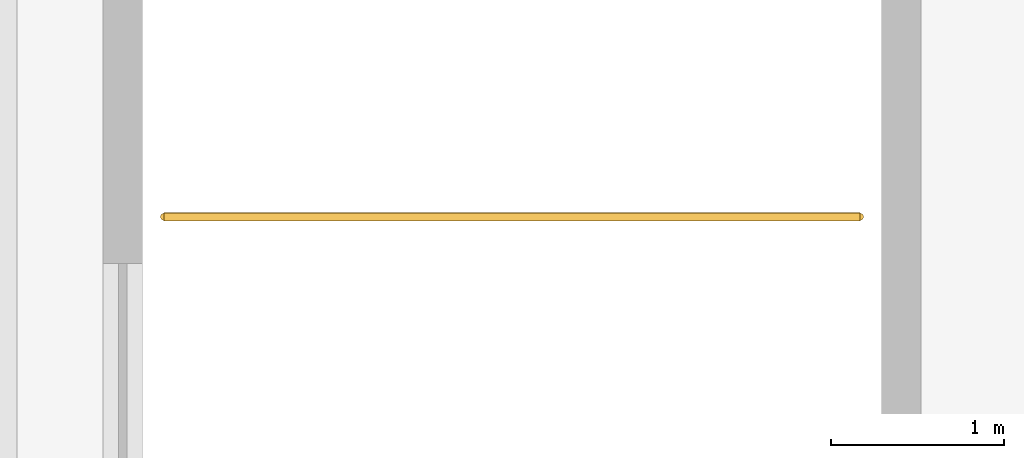
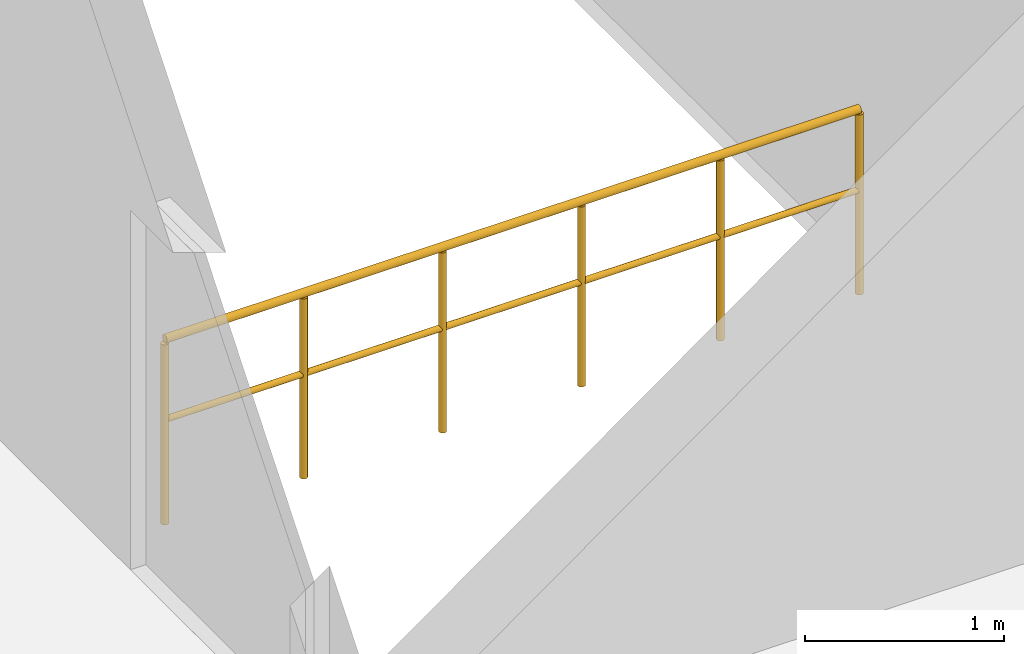
# One storey, part 84 of 84: 1 railing.
"""IFC4 building model written with IfcOpenShell, lengths in metres."""

import ifcopenshell
import ifcopenshell.guid

model = None  # the IFC model being written
_history = None  # IfcOwnerHistory: only IFC2X3 demands one
_inside = {}  # id of a spatial element -> (the spatial element, [elements in it])
_under = {}  # id of a project, library or spatial element -> (it, [spatial elements below it])
_declared = {}  # id of a project -> (the project, [libraries it declares])
_typed = {}  # id of a type object -> (the type object, [elements of that type])
_made_of = {}  # id of a material, layer set ... -> (it, [elements and type objects made of it])


def new_model(schema):
    """Start an empty IFC model of exactly this schema.

    Asked for "IFC4X3", IfcOpenShell would pick the latest addendum, in which some entities
    have other attributes; the version numbers below select the first issue.
    IFC2X3 requires an IfcOwnerHistory on every rooted entity: one is made here for all.
    """
    global model, _history
    if schema == "IFC4X3":
        model = ifcopenshell.file(schema_version=(4, 3, 0, 0))
    else:
        model = ifcopenshell.file(schema=schema)
    _inside.clear()
    _under.clear()
    _declared.clear()
    _typed.clear()
    _made_of.clear()
    _history = None
    if model.schema == "IFC2X3":
        org = make("IfcOrganization", Name="unknown")
        user = make(
            "IfcPersonAndOrganization",
            ThePerson=make("IfcPerson", FamilyName="unknown"),
            TheOrganization=org,
        )
        app = make(
            "IfcApplication",
            ApplicationDeveloper=org,
            Version="unknown",
            ApplicationFullName="unknown",
            ApplicationIdentifier="unknown",
        )
        _history = make(
            "IfcOwnerHistory",
            OwningUser=user,
            OwningApplication=app,
            ChangeAction="ADDED",
            CreationDate=0,
        )
    return model


def make(cls, **values):
    """One entity of the class cls with the attributes given. An attribute that is None is left unset."""
    return model.create_entity(
        cls, **{name: value for name, value in values.items() if value is not None}
    )


def rooted(cls, **values):
    """An entity with a GlobalId (a new one), such as an element, a storey or a relation."""
    return make(cls, GlobalId=ifcopenshell.guid.new(), OwnerHistory=_history, **values)


def si_unit(unit_type, name, prefix=None):
    """IfcSIUnit, for example si_unit("LENGTHUNIT", "METRE", prefix="MILLI")."""
    return make("IfcSIUnit", UnitType=unit_type, Prefix=prefix, Name=name)


def assignment(units):
    """IfcUnitAssignment: the units of a project."""
    return None if units is None else make("IfcUnitAssignment", Units=units)


def point(xyz):
    """IfcCartesianPoint."""
    return None if xyz is None else make("IfcCartesianPoint", Coordinates=xyz)


def direction(xyz):
    """IfcDirection."""
    return None if xyz is None else make("IfcDirection", DirectionRatios=xyz)


def frame(location, z_axis=None, x_axis=None):
    """IfcAxis2Placement3D, a coordinate frame: its origin and axes. An axis left out is left unset."""
    return make(
        "IfcAxis2Placement3D",
        Location=point(location),
        Axis=direction(z_axis),
        RefDirection=direction(x_axis),
    )


def frame_2d(location, x_axis=None):
    """IfcAxis2Placement2D, a coordinate frame in the plane: its origin and x axis."""
    return make(
        "IfcAxis2Placement2D", Location=point(location), RefDirection=direction(x_axis)
    )


def origin():
    """The frame at (0, 0, 0) with its axes left unset."""
    return frame((0.0, 0.0, 0.0))


def origin_2d():
    """The frame at (0, 0) in the plane with its x axis left unset."""
    return frame_2d((0.0, 0.0))


def place(relative_to, where):
    """IfcLocalPlacement: puts the frame where relative to a parent placement (None: the world)."""
    return make(
        "IfcLocalPlacement", PlacementRelTo=relative_to, RelativePlacement=where
    )


def context(
    kind, dimensions, precision=None, world=None, true_north=None, identifier=None
):
    """IfcGeometricRepresentationContext, for example the 3D "Model" context."""
    return make(
        "IfcGeometricRepresentationContext",
        ContextIdentifier=identifier,
        ContextType=kind,
        CoordinateSpaceDimension=dimensions,
        Precision=precision,
        WorldCoordinateSystem=world,
        TrueNorth=true_north,
    )


def subcontext(parent, identifier, kind, view, scale=None):
    """IfcGeometricRepresentationSubContext, for example "Body" below "Model"."""
    return make(
        "IfcGeometricRepresentationSubContext",
        ContextIdentifier=identifier,
        ContextType=kind,
        ParentContext=parent,
        TargetScale=scale,
        TargetView=view,
    )


def project(units=None, contexts=None):
    """IfcProject with its units and contexts."""
    return rooted(
        "IfcProject",
        Name="project",
        RepresentationContexts=contexts,
        UnitsInContext=assignment(units),
    )


def spatial(cls, under=None, at=None, **own):
    """A site, building, storey or space (cls), placed at a placement, below another one or the project."""
    s = rooted(cls, ObjectPlacement=at, **own)
    if under is not None:
        _under.setdefault(under.id(), (under, []))[1].append(s)
    return s


def profile(cls, at=None, kind="AREA", **sizes):
    """A parametric profile (cls). Its sizes go by their IFC names, for example OverallWidth=200.0."""
    return make(cls, ProfileType=kind, Position=at, **sizes)


def circle(**sizes):
    """IfcCircleProfileDef."""
    return profile("IfcCircleProfileDef", **sizes)


def extrude(swept, where, along, depth):
    """IfcExtrudedAreaSolid: the profile swept, set in the frame where, extruded along a direction by depth."""
    return make(
        "IfcExtrudedAreaSolid",
        SweptArea=swept,
        Position=where,
        ExtrudedDirection=direction(along),
        Depth=depth,
    )


def shape(context_of_items, identifier, shape_type, items):
    """IfcShapeRepresentation: the items that make up one representation, for example the "Body"."""
    return make(
        "IfcShapeRepresentation",
        ContextOfItems=context_of_items,
        RepresentationIdentifier=identifier,
        RepresentationType=shape_type,
        Items=items,
    )


def material(Name=None, Category=None):
    """IfcMaterial."""
    return make("IfcMaterial", Name=Name, Category=Category)


def made_of(thing, what):
    """Note that an element or type object is made of a material, layer set ...; save() writes the relation."""
    if what is not None:
        _made_of.setdefault(what.id(), (what, []))[1].append(thing)
    return thing


def type_object(cls, material=None, **own):
    """A type object (cls), such as IfcWallType, which elements share."""
    return made_of(rooted(cls, **own), material)


def element(
    cls,
    number,
    at=None,
    inside=None,
    cuts=None,
    type_object=None,
    material=None,
    context=None,
    identifier="Body",
    shape_type=None,
    held_by="IfcProductDefinitionShape",
    body=None,
    shapes=None,
    **own,
):
    """One element of the class cls, such as IfcWall. Its Tag is "e" and its number.

    at: its placement. inside: the storey or other place that contains it. cuts: it is an
    opening in that element (IfcRelVoidsElement). A single representation is given by context,
    identifier, shape_type and body (its items); several are given by shapes. held_by: the class
    of the entity that holds the representations. save() writes the other relations.
    """
    e = rooted(cls, Tag="e%d" % number, ObjectPlacement=at, **own)
    if body is not None:
        shapes = [shape(context, identifier, shape_type, body)]
    if shapes is not None:
        e.Representation = make(held_by, Representations=shapes)
    if inside is not None:
        _inside.setdefault(inside.id(), (inside, []))[1].append(e)
    if cuts is not None:
        rooted(
            "IfcRelVoidsElement", RelatingBuildingElement=cuts, RelatedOpeningElement=e
        )
    if type_object is not None:
        _typed.setdefault(type_object.id(), (type_object, []))[1].append(e)
    return made_of(e, material)


def aggregate(whole, parts):
    """IfcRelAggregates: a whole, such as a stair, and the parts it consists of."""
    return rooted("IfcRelAggregates", RelatingObject=whole, RelatedObjects=parts)


def save(model, path):
    """Write the relations noted so far, then the file.

    IfcRelAggregates (storeys below a building ...), IfcRelContainedInSpatialStructure (elements
    in a storey), IfcRelDefinesByType, IfcRelAssociatesMaterial and IfcRelDeclares: one each for
    every whole, place, type object, material and project.
    """
    for whole, parts in _under.values():
        aggregate(whole, parts)
    for where, things in _inside.values():
        rooted(
            "IfcRelContainedInSpatialStructure",
            RelatedElements=things,
            RelatingStructure=where,
        )
    for kind, things in _typed.values():
        rooted("IfcRelDefinesByType", RelatedObjects=things, RelatingType=kind)
    for what, things in _made_of.values():
        rooted("IfcRelAssociatesMaterial", RelatedObjects=things, RelatingMaterial=what)
    for by, libraries in _declared.values():
        rooted("IfcRelDeclares", RelatingContext=by, RelatedDefinitions=libraries)
    model.write(path)


model = new_model("IFC4")

# Units and contexts
model_context = context("Model", 3, precision=1e-05, world=origin(), true_north=direction((0.0, 1.0)))
body_context = subcontext(model_context, "Body", "Model", "MODEL_VIEW")
ifc_project = project(units=[si_unit("LENGTHUNIT", "METRE"), si_unit("AREAUNIT", "SQUARE_METRE"), si_unit("VOLUMEUNIT", "CUBIC_METRE"), si_unit("PLANEANGLEUNIT", "RADIAN"), si_unit("MASSUNIT", "GRAM", prefix="KILO")], contexts=[model_context])

# Site, building, storey
site_placement = place(None, origin())
site = spatial("IfcSite", under=ifc_project, at=site_placement, CompositionType="ELEMENT")
building_placement = place(site_placement, origin())
building = spatial("IfcBuilding", under=site, at=building_placement, Name="Varnakota Square Police Headquarters", CompositionType="ELEMENT")
storey_placement = place(building_placement, frame((0.0, 0.0, 13.5)))
storey = spatial("IfcBuildingStorey", under=building, at=storey_placement, Name="L03", CompositionType="ELEMENT", Elevation=13.5)

# Railing
ifc_material = material(Name="Laminated Glass and Stainless Steel Balustrade", Category="steel")
railing_type = type_object("IfcRailingType", Name="RL-INT-1150", PredefinedType="BALUSTRADE", material=ifc_material)
railing_placement = place(storey_placement, frame((132.93994140625, 102.949951171875, 0.0)))
element("IfcRailing", 1, at=railing_placement, inside=storey, type_object=railing_type, Name="Stair well safety guard C8 L03", PredefinedType="BALUSTRADE", context=body_context, shape_type="SweptSolid", body=[
    extrude(circle(Radius=0.02392578125, at=origin_2d()), frame((0.0, 0.0, 1.1259765625), z_axis=(1.0, 0.0, 0.0), x_axis=(0.0, 1.0, 0.0)), (0.0, 0.0, 1.0), 4.02001953125),
    extrude(circle(Radius=0.01806640625, at=origin_2d()), frame((0.0, 0.0, 0.63232421875), z_axis=(1.0, 0.0, 0.0), x_axis=(0.0, 1.0, 0.0)), (0.0, 0.0, 1.0), 4.02001953125),
    extrude(circle(Radius=0.02099609375, at=origin_2d()), origin(), (0.0, 0.0, 1.0), 1.101806640625),
    extrude(circle(Radius=0.02099609375, at=origin_2d()), frame((0.803955078125, 0.0, 0.0)), (0.0, 0.0, 1.0), 1.101806640625),
    extrude(circle(Radius=0.02099609375, at=origin_2d()), frame((1.60791015625, 0.0, 0.0)), (0.0, 0.0, 1.0), 1.101806640625),
    extrude(circle(Radius=0.02099609375, at=origin_2d()), frame((2.412109375, 0.0, 0.0)), (0.0, 0.0, 1.0), 1.101806640625),
    extrude(circle(Radius=0.02099609375, at=origin_2d()), frame((3.216064453125, 0.0, 0.0)), (0.0, 0.0, 1.0), 1.101806640625),
    extrude(circle(Radius=0.02099609375, at=origin_2d()), frame((4.02001953125, 0.0, 0.0)), (0.0, 0.0, 1.0), 1.101806640625),
])

save(model, "model.ifc")
